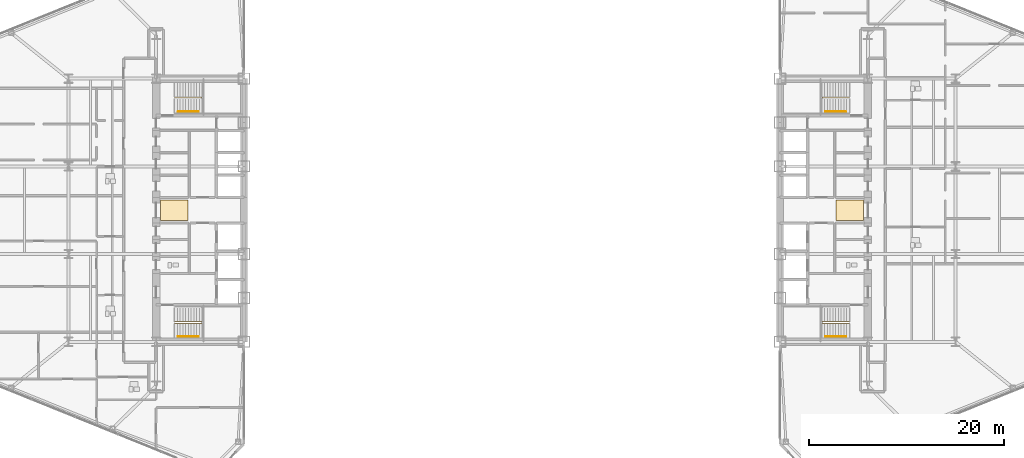
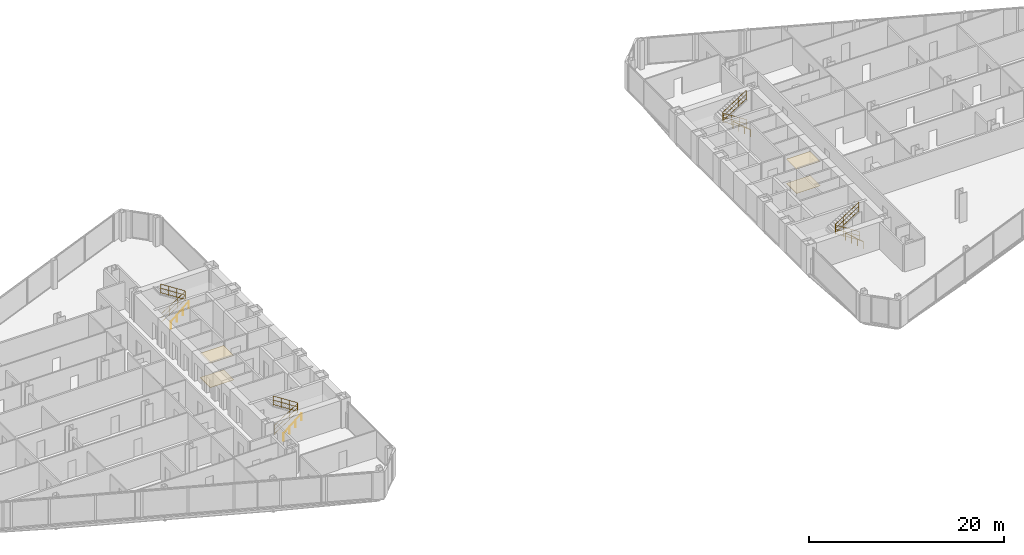
# One storey, part 24 of 25: 8 railings, 4 coverings.
"""IFC4 building model written with IfcOpenShell, lengths in metres."""

from ifc_helpers import new_model, si_unit, direction, frame, origin, origin_2d, place, context, subcontext, project, spatial, polyline, circle, outline, extrude, material, layer, layer_set, type_object, element, save


model = new_model("IFC4")

# Units and contexts
model_context = context("Model", 3, precision=1e-05, world=origin(), true_north=direction((0.0, 1.0)))
body_context = subcontext(model_context, "Body", "Model", "MODEL_VIEW")
ifc_project = project(units=[si_unit("LENGTHUNIT", "METRE"), si_unit("AREAUNIT", "SQUARE_METRE"), si_unit("VOLUMEUNIT", "CUBIC_METRE"), si_unit("PLANEANGLEUNIT", "RADIAN"), si_unit("MASSUNIT", "GRAM", prefix="KILO")], contexts=[model_context])

# Site, building, storey
site_placement = place(None, origin())
site = spatial("IfcSite", under=ifc_project, at=site_placement, CompositionType="ELEMENT")
building_placement = place(site_placement, origin())
building = spatial("IfcBuilding", under=site, at=building_placement, Name="Seokmaru Belvedere", CompositionType="ELEMENT")
storey_placement = place(building_placement, frame((0.0, 0.0, 58.5)))
storey = spatial("IfcBuildingStorey", under=building, at=storey_placement, Name="L15", CompositionType="ELEMENT", Elevation=58.5)

# Coverings
ifc_material_1 = material(Name="Engineered White Oak Timber", Category="wood")
ifc_layer_1 = layer(ifc_material_1, 0.02197265625)
ifc_layer_set_1 = layer_set([ifc_layer_1], Name="Engineered White Oak Timber")
covering_type_1 = type_object("IfcCoveringType", Name="Engineered Oak Residence Floor Finish 22", PredefinedType="FLOORING", material=ifc_layer_set_1)
covering_1_placement = place(storey_placement, origin())
element("IfcCovering", 1, at=covering_1_placement, inside=storey, type_object=covering_type_1, Name="L15 W Foyer Floor Finish", PredefinedType="FLOORING", context=body_context, shape_type="SweptSolid", body=[
    extrude(outline(polyline([(-36.050048828125, -1.050048828125), (-33.25, -1.050048828125), (-33.25, 1.050048828125), (-36.050048828125, 1.050048828125), (-36.050048828125, -1.050048828125)])), origin(), (0.0, 0.0, 1.0), 0.02197265625),
])
covering_2_placement = place(storey_placement, origin())
element("IfcCovering", 2, at=covering_2_placement, inside=storey, type_object=covering_type_1, Name="L15 E Foyer Floor Finish", PredefinedType="FLOORING", context=body_context, shape_type="SweptSolid", body=[
    extrude(outline(polyline([(33.25, -1.050048828125), (36.050048828125, -1.050048828125), (36.050048828125, 1.050048828125), (33.25, 1.050048828125), (33.25, -1.050048828125)])), origin(), (0.0, 0.0, 1.0), 0.02197265625),
])
ifc_material_2 = material(Name="Fire-Rated Gypsum Shaftwall")
ifc_layer_2 = layer(ifc_material_2, 0.02490234375)
ifc_layer_set_2 = layer_set([ifc_layer_2], Name="Fire-Rated Gypsum Shaftwall")
covering_type_2 = type_object("IfcCoveringType", Name="Perforated Acoustic Gypsum Suspended Ceiling 25", PredefinedType="CEILING", material=ifc_layer_set_2)
covering_3_placement = place(storey_placement, frame((0.0, 0.0, 3.030029296875)))
element("IfcCovering", 3, at=covering_3_placement, inside=storey, type_object=covering_type_2, Name="L15 W Lift Foyer Acoustic Ceiling", PredefinedType="CEILING", context=body_context, shape_type="SweptSolid", body=[
    extrude(outline(polyline([(-36.050048828125, -1.050048828125), (-33.25, -1.050048828125), (-33.25, 1.050048828125), (-36.050048828125, 1.050048828125), (-36.050048828125, -1.050048828125)])), origin(), (0.0, 0.0, 1.0), 0.02490234375),
])
covering_4_placement = place(storey_placement, frame((0.0, 0.0, 3.030029296875)))
element("IfcCovering", 4, at=covering_4_placement, inside=storey, type_object=covering_type_2, Name="L15 E Lift Foyer Acoustic Ceiling", PredefinedType="CEILING", context=body_context, shape_type="SweptSolid", body=[
    extrude(outline(polyline([(33.25, -1.050048828125), (36.050048828125, -1.050048828125), (36.050048828125, 1.050048828125), (33.25, 1.050048828125), (33.25, -1.050048828125)])), origin(), (0.0, 0.0, 1.0), 0.02490234375),
])

# Railings
ifc_material_3 = material(Name="Stainless Steel 316", Category="steel")
railing_type_1 = type_object("IfcRailingType", Name="Stainless Steel Wall and Flight Handrail 900", PredefinedType="HANDRAIL", material=ifc_material_3)
for number, where, name in (
    (5, (-34.25, -12.949951171875, 0.0), "L15 Stair ST-W1 Wall Handrail"),
    (6, (-34.25, 10.110107421875, 0.0), "L15 Stair ST-W2 Wall Handrail"),
):
    element("IfcRailing", number, at=place(storey_placement, frame(where)), inside=storey, type_object=railing_type_1, Name=name, PredefinedType="HANDRAIL", context=body_context, shape_type="SweptSolid", body=[
        extrude(circle(Radius=0.02392578125, at=origin_2d()), frame((0.0, 0.0, 0.8759765625), z_axis=(0.759262832861, 0.0, 0.650784104474), x_axis=(0.0, 1.0, 0.0)), (0.0, 0.0, 1.0), 2.765869140625),
        extrude(circle(Radius=0.02099609375, at=origin_2d()), origin(), (0.0, 0.0, 1.0), 0.851806640625),
        extrude(circle(Radius=0.02099609375, at=origin_2d()), frame((0.699951171875, 0.0, 0.60009765625)), (0.0, 0.0, 1.0), 0.851806640625),
        extrude(circle(Radius=0.02099609375, at=origin_2d()), frame((1.400146484375, 0.0, 1.199951171875)), (0.0, 0.0, 1.0), 0.851806640625),
        extrude(circle(Radius=0.02099609375, at=origin_2d()), frame((2.10009765625, 0.0, 1.800048828125)), (0.0, 0.0, 1.0), 0.851806640625),
    ])
for number, where, name in (
    (7, (34.25, -12.949951171875, 0.0), "L15 Stair ST-E1 Wall Handrail"),
    (8, (34.25, 10.110107421875, 0.0), "L15 Stair ST-E2 Wall Handrail"),
):
    element("IfcRailing", number, at=place(storey_placement, frame(where)), inside=storey, type_object=railing_type_1, Name=name, PredefinedType="HANDRAIL", context=body_context, shape_type="SweptSolid", body=[
        extrude(circle(Radius=0.02392578125, at=origin_2d()), frame((0.0, 0.0, 0.8759765625), z_axis=(-0.759262832861, 0.0, 0.650784104474), x_axis=(0.0, -1.0, 0.0)), (0.0, 0.0, 1.0), 2.765869140625),
        extrude(circle(Radius=0.02099609375, at=origin_2d()), origin(), (0.0, 0.0, 1.0), 0.851806640625),
        extrude(circle(Radius=0.02099609375, at=origin_2d()), frame((-0.699951171875, 0.0, 0.60009765625)), (0.0, 0.0, 1.0), 0.851806640625),
        extrude(circle(Radius=0.02099609375, at=origin_2d()), frame((-1.400146484375, 0.0, 1.199951171875)), (0.0, 0.0, 1.0), 0.851806640625),
        extrude(circle(Radius=0.02099609375, at=origin_2d()), frame((-2.10009765625, 0.0, 1.800048828125)), (0.0, 0.0, 1.0), 0.851806640625),
    ])
railing_type_2 = type_object("IfcRailingType", Name="Stair Well and Atrium Steel Guardrail 1200", PredefinedType="GUARDRAIL", material=ifc_material_3)
railing_1_placement = place(storey_placement, frame((-34.60009765625, -11.60009765625, 0.0)))
element("IfcRailing", 9, at=railing_1_placement, inside=storey, type_object=railing_type_2, Name="L15 Stair ST-W1 Inner Well Guardrail", PredefinedType="GUARDRAIL", context=body_context, shape_type="SweptSolid", body=[
    extrude(circle(Radius=0.02392578125, at=origin_2d()), frame((0.0, 0.0, 1.17578125), z_axis=(0.841176092368, 0.0, 0.540761298198), x_axis=(0.0, 1.0, 0.0)), (0.0, 0.0, 1.0), 3.32861328125),
    extrude(circle(Radius=0.02392578125, at=origin_2d()), frame((0.0, 0.0, 0.1201171875), z_axis=(0.841176092368, 0.0, 0.540761298198), x_axis=(0.0, 1.0, 0.0)), (0.0, 0.0, 1.0), 3.32861328125),
    extrude(circle(Radius=0.02392578125, at=origin_2d()), frame((0.0, 0.0, 0.659912109375), z_axis=(0.841176092368, 0.0, 0.540761298198), x_axis=(0.0, 1.0, 0.0)), (0.0, 0.0, 1.0), 3.32861328125),
    extrude(circle(Radius=0.02392578125, at=origin_2d()), frame((2.800048828125, 0.0, 2.97607421875), z_axis=(0.0, 1.0, 0.0), x_axis=(-1.0, 0.0, 0.0)), (0.0, 0.0, 1.0), 0.14013671875),
    extrude(circle(Radius=0.02392578125, at=origin_2d()), frame((2.800048828125, 0.0, 1.920166015625), z_axis=(0.0, 1.0, 0.0), x_axis=(-1.0, 0.0, 0.0)), (0.0, 0.0, 1.0), 0.14013671875),
    extrude(circle(Radius=0.02392578125, at=origin_2d()), frame((2.800048828125, 0.0, 2.4599609375), z_axis=(0.0, 1.0, 0.0), x_axis=(-1.0, 0.0, 0.0)), (0.0, 0.0, 1.0), 0.14013671875),
    extrude(circle(Radius=0.02392578125, at=origin_2d()), frame((2.800048828125, 0.14013671875, 2.97607421875), z_axis=(-0.841176092368, 0.0, 0.540761298198), x_axis=(0.0, -1.0, 0.0)), (0.0, 0.0, 1.0), 3.32861328125),
    extrude(circle(Radius=0.02392578125, at=origin_2d()), frame((2.800048828125, 0.14013671875, 1.920166015625), z_axis=(-0.841176092368, 0.0, 0.540761298198), x_axis=(0.0, -1.0, 0.0)), (0.0, 0.0, 1.0), 3.32861328125),
    extrude(circle(Radius=0.02392578125, at=origin_2d()), frame((2.800048828125, 0.14013671875, 2.4599609375), z_axis=(-0.841176092368, 0.0, 0.540761298198), x_axis=(0.0, -1.0, 0.0)), (0.0, 0.0, 1.0), 3.32861328125),
    extrude(circle(Radius=0.02099609375, at=origin_2d()), origin(), (0.0, 0.0, 1.0), 1.15185546875),
    extrude(circle(Radius=0.02099609375, at=origin_2d()), frame((0.933349609375, 0.0, 0.60009765625)), (0.0, 0.0, 1.0), 1.15185546875),
    extrude(circle(Radius=0.02099609375, at=origin_2d()), frame((1.86669921875, 0.0, 1.199951171875)), (0.0, 0.0, 1.0), 1.15185546875),
    extrude(circle(Radius=0.02099609375, at=origin_2d()), frame((2.800048828125, 0.0, 1.800048828125)), (0.0, 0.0, 1.0), 1.15185546875),
    extrude(circle(Radius=0.02099609375, at=origin_2d()), frame((2.800048828125, 0.14013671875, 1.800048828125)), (0.0, 0.0, 1.0), 1.15185546875),
    extrude(circle(Radius=0.02099609375, at=origin_2d()), frame((1.86669921875, 0.14013671875, 2.400146484375)), (0.0, 0.0, 1.0), 1.15185546875),
    extrude(circle(Radius=0.02099609375, at=origin_2d()), frame((0.933349609375, 0.14013671875, 3.0)), (0.0, 0.0, 1.0), 1.15185546875),
    extrude(circle(Radius=0.02099609375, at=origin_2d()), frame((0.0, 0.14013671875, 3.60009765625)), (0.0, 0.0, 1.0), 1.15185546875),
])
railing_2_placement = place(storey_placement, frame((-34.60009765625, 11.4599609375, 0.0)))
element("IfcRailing", 10, at=railing_2_placement, inside=storey, type_object=railing_type_2, Name="L15 Stair ST-W2 Inner Well Guardrail", PredefinedType="GUARDRAIL", context=body_context, shape_type="SweptSolid", body=[
    extrude(circle(Radius=0.02392578125, at=origin_2d()), frame((0.0, 0.0, 1.17578125), z_axis=(0.841176092368, 0.0, 0.540761298198), x_axis=(0.0, 1.0, 0.0)), (0.0, 0.0, 1.0), 3.32861328125),
    extrude(circle(Radius=0.02392578125, at=origin_2d()), frame((0.0, 0.0, 0.1201171875), z_axis=(0.841176092368, 0.0, 0.540761298198), x_axis=(0.0, 1.0, 0.0)), (0.0, 0.0, 1.0), 3.32861328125),
    extrude(circle(Radius=0.02392578125, at=origin_2d()), frame((0.0, 0.0, 0.659912109375), z_axis=(0.841176092368, 0.0, 0.540761298198), x_axis=(0.0, 1.0, 0.0)), (0.0, 0.0, 1.0), 3.32861328125),
    extrude(circle(Radius=0.02392578125, at=origin_2d()), frame((2.800048828125, 0.0, 2.97607421875), z_axis=(0.0, 1.0, 0.0), x_axis=(-1.0, 0.0, 0.0)), (0.0, 0.0, 1.0), 0.14013671875),
    extrude(circle(Radius=0.02392578125, at=origin_2d()), frame((2.800048828125, 0.0, 1.920166015625), z_axis=(0.0, 1.0, 0.0), x_axis=(-1.0, 0.0, 0.0)), (0.0, 0.0, 1.0), 0.14013671875),
    extrude(circle(Radius=0.02392578125, at=origin_2d()), frame((2.800048828125, 0.0, 2.4599609375), z_axis=(0.0, 1.0, 0.0), x_axis=(-1.0, 0.0, 0.0)), (0.0, 0.0, 1.0), 0.14013671875),
    extrude(circle(Radius=0.02392578125, at=origin_2d()), frame((2.800048828125, 0.14013671875, 2.97607421875), z_axis=(-0.841176092368, 0.0, 0.540761298198), x_axis=(0.0, -1.0, 0.0)), (0.0, 0.0, 1.0), 3.32861328125),
    extrude(circle(Radius=0.02392578125, at=origin_2d()), frame((2.800048828125, 0.14013671875, 1.920166015625), z_axis=(-0.841176092368, 0.0, 0.540761298198), x_axis=(0.0, -1.0, 0.0)), (0.0, 0.0, 1.0), 3.32861328125),
    extrude(circle(Radius=0.02392578125, at=origin_2d()), frame((2.800048828125, 0.14013671875, 2.4599609375), z_axis=(-0.841176092368, 0.0, 0.540761298198), x_axis=(0.0, -1.0, 0.0)), (0.0, 0.0, 1.0), 3.32861328125),
    extrude(circle(Radius=0.02099609375, at=origin_2d()), origin(), (0.0, 0.0, 1.0), 1.15185546875),
    extrude(circle(Radius=0.02099609375, at=origin_2d()), frame((0.933349609375, 0.0, 0.60009765625)), (0.0, 0.0, 1.0), 1.15185546875),
    extrude(circle(Radius=0.02099609375, at=origin_2d()), frame((1.86669921875, 0.0, 1.199951171875)), (0.0, 0.0, 1.0), 1.15185546875),
    extrude(circle(Radius=0.02099609375, at=origin_2d()), frame((2.800048828125, 0.0, 1.800048828125)), (0.0, 0.0, 1.0), 1.15185546875),
    extrude(circle(Radius=0.02099609375, at=origin_2d()), frame((2.800048828125, 0.14013671875, 1.800048828125)), (0.0, 0.0, 1.0), 1.15185546875),
    extrude(circle(Radius=0.02099609375, at=origin_2d()), frame((1.86669921875, 0.14013671875, 2.400146484375)), (0.0, 0.0, 1.0), 1.15185546875),
    extrude(circle(Radius=0.02099609375, at=origin_2d()), frame((0.933349609375, 0.14013671875, 3.0)), (0.0, 0.0, 1.0), 1.15185546875),
    extrude(circle(Radius=0.02099609375, at=origin_2d()), frame((0.0, 0.14013671875, 3.60009765625)), (0.0, 0.0, 1.0), 1.15185546875),
])
railing_3_placement = place(storey_placement, frame((34.60009765625, -11.60009765625, 0.0)))
element("IfcRailing", 11, at=railing_3_placement, inside=storey, type_object=railing_type_2, Name="L15 Stair ST-E1 Inner Well Guardrail", PredefinedType="GUARDRAIL", context=body_context, shape_type="SweptSolid", body=[
    extrude(circle(Radius=0.02392578125, at=origin_2d()), frame((0.0, 0.0, 1.17578125), z_axis=(-0.841176092368, 0.0, 0.540761298198), x_axis=(0.0, -1.0, 0.0)), (0.0, 0.0, 1.0), 3.32861328125),
    extrude(circle(Radius=0.02392578125, at=origin_2d()), frame((0.0, 0.0, 0.1201171875), z_axis=(-0.841176092368, 0.0, 0.540761298198), x_axis=(0.0, -1.0, 0.0)), (0.0, 0.0, 1.0), 3.32861328125),
    extrude(circle(Radius=0.02392578125, at=origin_2d()), frame((0.0, 0.0, 0.659912109375), z_axis=(-0.841176092368, 0.0, 0.540761298198), x_axis=(0.0, -1.0, 0.0)), (0.0, 0.0, 1.0), 3.32861328125),
    extrude(circle(Radius=0.02392578125, at=origin_2d()), frame((-2.800048828125, 0.0, 2.97607421875), z_axis=(0.0, 1.0, 0.0), x_axis=(-1.0, 0.0, 0.0)), (0.0, 0.0, 1.0), 0.14013671875),
    extrude(circle(Radius=0.02392578125, at=origin_2d()), frame((-2.800048828125, 0.0, 1.920166015625), z_axis=(0.0, 1.0, 0.0), x_axis=(-1.0, 0.0, 0.0)), (0.0, 0.0, 1.0), 0.14013671875),
    extrude(circle(Radius=0.02392578125, at=origin_2d()), frame((-2.800048828125, 0.0, 2.4599609375), z_axis=(0.0, 1.0, 0.0), x_axis=(-1.0, 0.0, 0.0)), (0.0, 0.0, 1.0), 0.14013671875),
    extrude(circle(Radius=0.02392578125, at=origin_2d()), frame((-2.800048828125, 0.14013671875, 2.97607421875), z_axis=(0.841176092368, 0.0, 0.540761298198), x_axis=(0.0, 1.0, 0.0)), (0.0, 0.0, 1.0), 3.32861328125),
    extrude(circle(Radius=0.02392578125, at=origin_2d()), frame((-2.800048828125, 0.14013671875, 1.920166015625), z_axis=(0.841176092368, 0.0, 0.540761298198), x_axis=(0.0, 1.0, 0.0)), (0.0, 0.0, 1.0), 3.32861328125),
    extrude(circle(Radius=0.02392578125, at=origin_2d()), frame((-2.800048828125, 0.14013671875, 2.4599609375), z_axis=(0.841176092368, 0.0, 0.540761298198), x_axis=(0.0, 1.0, 0.0)), (0.0, 0.0, 1.0), 3.32861328125),
    extrude(circle(Radius=0.02099609375, at=origin_2d()), origin(), (0.0, 0.0, 1.0), 1.15185546875),
    extrude(circle(Radius=0.02099609375, at=origin_2d()), frame((-0.933349609375, 0.0, 0.60009765625)), (0.0, 0.0, 1.0), 1.15185546875),
    extrude(circle(Radius=0.02099609375, at=origin_2d()), frame((-1.86669921875, 0.0, 1.199951171875)), (0.0, 0.0, 1.0), 1.15185546875),
    extrude(circle(Radius=0.02099609375, at=origin_2d()), frame((-2.800048828125, 0.0, 1.800048828125)), (0.0, 0.0, 1.0), 1.15185546875),
    extrude(circle(Radius=0.02099609375, at=origin_2d()), frame((-2.800048828125, 0.14013671875, 1.800048828125)), (0.0, 0.0, 1.0), 1.15185546875),
    extrude(circle(Radius=0.02099609375, at=origin_2d()), frame((-1.86669921875, 0.14013671875, 2.400146484375)), (0.0, 0.0, 1.0), 1.15185546875),
    extrude(circle(Radius=0.02099609375, at=origin_2d()), frame((-0.933349609375, 0.14013671875, 3.0)), (0.0, 0.0, 1.0), 1.15185546875),
    extrude(circle(Radius=0.02099609375, at=origin_2d()), frame((0.0, 0.14013671875, 3.60009765625)), (0.0, 0.0, 1.0), 1.15185546875),
])
railing_4_placement = place(storey_placement, frame((34.60009765625, 11.4599609375, 0.0)))
element("IfcRailing", 12, at=railing_4_placement, inside=storey, type_object=railing_type_2, Name="L15 Stair ST-E2 Inner Well Guardrail", PredefinedType="GUARDRAIL", context=body_context, shape_type="SweptSolid", body=[
    extrude(circle(Radius=0.02392578125, at=origin_2d()), frame((0.0, 0.0, 1.17578125), z_axis=(-0.841176092368, 0.0, 0.540761298198), x_axis=(0.0, -1.0, 0.0)), (0.0, 0.0, 1.0), 3.32861328125),
    extrude(circle(Radius=0.02392578125, at=origin_2d()), frame((0.0, 0.0, 0.1201171875), z_axis=(-0.841176092368, 0.0, 0.540761298198), x_axis=(0.0, -1.0, 0.0)), (0.0, 0.0, 1.0), 3.32861328125),
    extrude(circle(Radius=0.02392578125, at=origin_2d()), frame((0.0, 0.0, 0.659912109375), z_axis=(-0.841176092368, 0.0, 0.540761298198), x_axis=(0.0, -1.0, 0.0)), (0.0, 0.0, 1.0), 3.32861328125),
    extrude(circle(Radius=0.02392578125, at=origin_2d()), frame((-2.800048828125, 0.0, 2.97607421875), z_axis=(0.0, 1.0, 0.0), x_axis=(-1.0, 0.0, 0.0)), (0.0, 0.0, 1.0), 0.14013671875),
    extrude(circle(Radius=0.02392578125, at=origin_2d()), frame((-2.800048828125, 0.0, 1.920166015625), z_axis=(0.0, 1.0, 0.0), x_axis=(-1.0, 0.0, 0.0)), (0.0, 0.0, 1.0), 0.14013671875),
    extrude(circle(Radius=0.02392578125, at=origin_2d()), frame((-2.800048828125, 0.0, 2.4599609375), z_axis=(0.0, 1.0, 0.0), x_axis=(-1.0, 0.0, 0.0)), (0.0, 0.0, 1.0), 0.14013671875),
    extrude(circle(Radius=0.02392578125, at=origin_2d()), frame((-2.800048828125, 0.14013671875, 2.97607421875), z_axis=(0.841176092368, 0.0, 0.540761298198), x_axis=(0.0, 1.0, 0.0)), (0.0, 0.0, 1.0), 3.32861328125),
    extrude(circle(Radius=0.02392578125, at=origin_2d()), frame((-2.800048828125, 0.14013671875, 1.920166015625), z_axis=(0.841176092368, 0.0, 0.540761298198), x_axis=(0.0, 1.0, 0.0)), (0.0, 0.0, 1.0), 3.32861328125),
    extrude(circle(Radius=0.02392578125, at=origin_2d()), frame((-2.800048828125, 0.14013671875, 2.4599609375), z_axis=(0.841176092368, 0.0, 0.540761298198), x_axis=(0.0, 1.0, 0.0)), (0.0, 0.0, 1.0), 3.32861328125),
    extrude(circle(Radius=0.02099609375, at=origin_2d()), origin(), (0.0, 0.0, 1.0), 1.15185546875),
    extrude(circle(Radius=0.02099609375, at=origin_2d()), frame((-0.933349609375, 0.0, 0.60009765625)), (0.0, 0.0, 1.0), 1.15185546875),
    extrude(circle(Radius=0.02099609375, at=origin_2d()), frame((-1.86669921875, 0.0, 1.199951171875)), (0.0, 0.0, 1.0), 1.15185546875),
    extrude(circle(Radius=0.02099609375, at=origin_2d()), frame((-2.800048828125, 0.0, 1.800048828125)), (0.0, 0.0, 1.0), 1.15185546875),
    extrude(circle(Radius=0.02099609375, at=origin_2d()), frame((-2.800048828125, 0.14013671875, 1.800048828125)), (0.0, 0.0, 1.0), 1.15185546875),
    extrude(circle(Radius=0.02099609375, at=origin_2d()), frame((-1.86669921875, 0.14013671875, 2.400146484375)), (0.0, 0.0, 1.0), 1.15185546875),
    extrude(circle(Radius=0.02099609375, at=origin_2d()), frame((-0.933349609375, 0.14013671875, 3.0)), (0.0, 0.0, 1.0), 1.15185546875),
    extrude(circle(Radius=0.02099609375, at=origin_2d()), frame((0.0, 0.14013671875, 3.60009765625)), (0.0, 0.0, 1.0), 1.15185546875),
])

save(model, "model.ifc")
